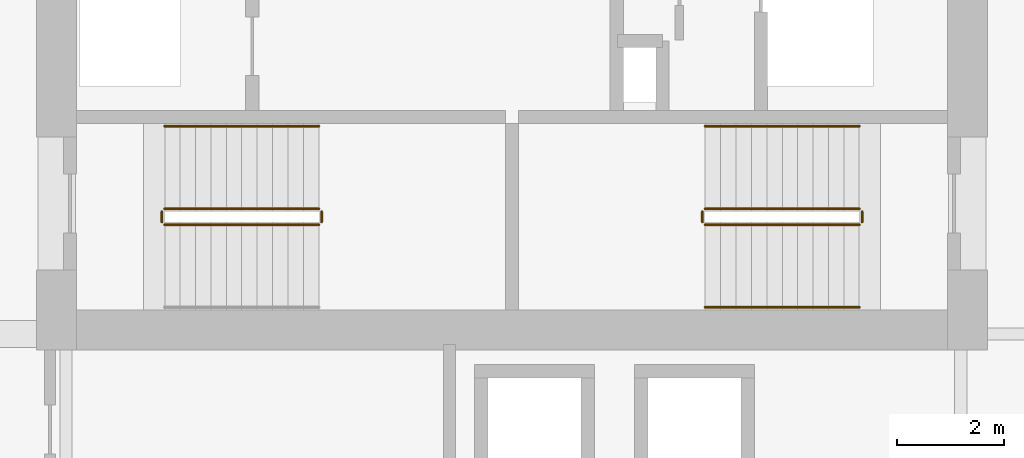
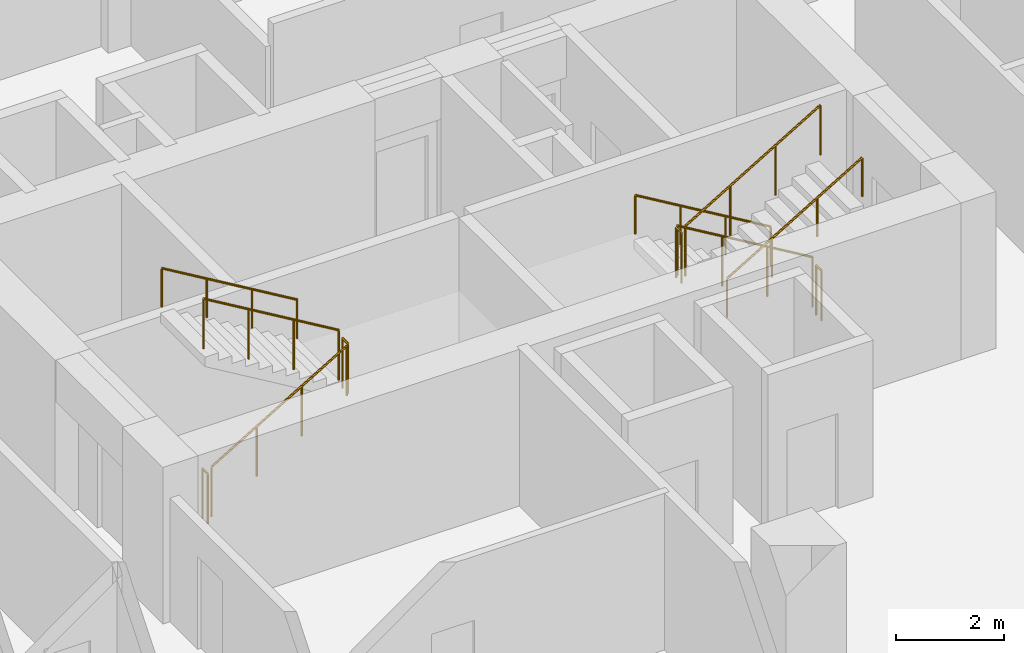
# One storey, part 16 of 18: 11 railings.
"""IFC4 building model written with IfcOpenShell, lengths in metres."""

from ifc_helpers import new_model, si_unit, direction, frame, origin, origin_2d, place, context, subcontext, project, spatial, circle, extrude, material, type_object, element, save


model = new_model("IFC4")

# Units and contexts
model_context = context("Model", 3, precision=1e-05, world=origin(), true_north=direction((0.0, 1.0)))
body_context = subcontext(model_context, "Body", "Model", "MODEL_VIEW")
ifc_project = project(units=[si_unit("LENGTHUNIT", "METRE"), si_unit("AREAUNIT", "SQUARE_METRE"), si_unit("VOLUMEUNIT", "CUBIC_METRE"), si_unit("PLANEANGLEUNIT", "RADIAN"), si_unit("MASSUNIT", "GRAM", prefix="KILO")], contexts=[model_context])

# Site, building, storey
site_placement = place(None, origin())
site = spatial("IfcSite", under=ifc_project, at=site_placement, CompositionType="ELEMENT")
building_placement = place(site_placement, origin())
building = spatial("IfcBuilding", under=site, at=building_placement, Name="Koriwani Terraces Tower", CompositionType="ELEMENT")
storey_placement = place(building_placement, frame((0.0, 0.0, 115.199951171875)))
storey = spatial("IfcBuildingStorey", under=building, at=storey_placement, Name="L27", CompositionType="ELEMENT", Elevation=115.199951171875)

# Railings
ifc_material = material(Name="Steel ASTM A572 Grade 50", Category="steel")
railing_type_1 = type_object("IfcRailingType", Name="GUARD_STAIR_WELL_1120", PredefinedType="GUARDRAIL", material=ifc_material)
railing_1_placement = place(storey_placement, frame((43.85009765625, 18.85009765625, 0.1728515625)))
element("IfcRailing", 1, at=railing_1_placement, inside=storey, type_object=railing_type_1, Name="L27 ST-E1 stair guard 1", PredefinedType="GUARDRAIL", context=body_context, shape_type="SweptSolid", body=[
    extrude(circle(Radius=0.02392578125, at=origin_2d()), frame((0.0, 0.0, 1.1259765625), z_axis=(0.859141464434, 0.0, 0.511738159696), x_axis=(0.0, 1.0, 0.0)), (0.0, 0.0, 1.0), 3.375244140625),
    extrude(circle(Radius=0.02099609375, at=origin_2d()), origin(), (0.0, 0.0, 1.0), 1.101806640625),
    extrude(circle(Radius=0.02099609375, at=origin_2d()), frame((0.966552734375, 0.0, 0.57568359375)), (0.0, 0.0, 1.0), 1.101806640625),
    extrude(circle(Radius=0.02099609375, at=origin_2d()), frame((1.933349609375, 0.0, 1.151611328125)), (0.0, 0.0, 1.0), 1.101806640625),
    extrude(circle(Radius=0.02099609375, at=origin_2d()), frame((2.89990234375, 0.0, 1.727294921875)), (0.0, 0.0, 1.0), 1.101806640625),
])
railing_2_placement = place(storey_placement, frame((46.800048828125, 18.89990234375, 1.900146484375)))
element("IfcRailing", 2, at=railing_2_placement, inside=storey, type_object=railing_type_1, Name="L27 ST-E1 stair guard 2", PredefinedType="GUARDRAIL", context=body_context, shape_type="SweptSolid", body=[
    extrude(circle(Radius=0.02392578125, at=origin_2d()), frame((0.0, 0.0, 1.1259765625), z_axis=(0.0, 1.0, 0.0), x_axis=(-1.0, 0.0, 0.0)), (0.0, 0.0, 1.0), 0.2001953125),
    extrude(circle(Radius=0.02099609375, at=origin_2d()), origin(), (0.0, 0.0, 1.0), 1.101806640625),
    extrude(circle(Radius=0.02099609375, at=origin_2d()), frame((0.0, 0.2001953125, 0.0)), (0.0, 0.0, 1.0), 1.101806640625),
])
railing_3_placement = place(storey_placement, frame((46.75, 19.14990234375, 2.07275390625)))
element("IfcRailing", 3, at=railing_3_placement, inside=storey, type_object=railing_type_1, Name="L27 ST-E1 stair guard 3", PredefinedType="GUARDRAIL", context=body_context, shape_type="SweptSolid", body=[
    extrude(circle(Radius=0.02392578125, at=origin_2d()), frame((0.0, 0.0, 1.1259765625), z_axis=(-0.859141464434, 0.0, 0.511738159696), x_axis=(0.0, -1.0, 0.0)), (0.0, 0.0, 1.0), 3.375244140625),
    extrude(circle(Radius=0.02099609375, at=origin_2d()), origin(), (0.0, 0.0, 1.0), 1.101806640625),
    extrude(circle(Radius=0.02099609375, at=origin_2d()), frame((-0.966552734375, 0.0, 0.57568359375)), (0.0, 0.0, 1.0), 1.101806640625),
    extrude(circle(Radius=0.02099609375, at=origin_2d()), frame((-1.933349609375, 0.0, 1.151611328125)), (0.0, 0.0, 1.0), 1.101806640625),
    extrude(circle(Radius=0.02099609375, at=origin_2d()), frame((-2.89990234375, 0.0, 1.727294921875)), (0.0, 0.0, 1.0), 1.101806640625),
])
railing_4_placement = place(storey_placement, frame((43.800048828125, 18.89990234375, 0.0)))
element("IfcRailing", 4, at=railing_4_placement, inside=storey, type_object=railing_type_1, Name="L27 ST-E1 stair guard 4", PredefinedType="GUARDRAIL", context=body_context, shape_type="SweptSolid", body=[
    extrude(circle(Radius=0.02392578125, at=origin_2d()), frame((0.0, 0.0, 1.1259765625), z_axis=(0.0, 1.0, 0.0), x_axis=(-1.0, 0.0, 0.0)), (0.0, 0.0, 1.0), 0.2001953125),
    extrude(circle(Radius=0.02099609375, at=origin_2d()), origin(), (0.0, 0.0, 1.0), 1.101806640625),
    extrude(circle(Radius=0.02099609375, at=origin_2d()), frame((0.0, 0.2001953125, 0.0)), (0.0, 0.0, 1.0), 1.101806640625),
])
railing_5_placement = place(storey_placement, frame((56.89990234375, 19.14990234375, 0.1728515625)))
element("IfcRailing", 5, at=railing_5_placement, inside=storey, type_object=railing_type_1, Name="L27 ST-E2 stair guard 1", PredefinedType="GUARDRAIL", context=body_context, shape_type="SweptSolid", body=[
    extrude(circle(Radius=0.02392578125, at=origin_2d()), frame((0.0, 0.0, 1.1259765625), z_axis=(-0.859141464434, 0.0, 0.511738159696), x_axis=(0.0, -1.0, 0.0)), (0.0, 0.0, 1.0), 3.375244140625),
    extrude(circle(Radius=0.02099609375, at=origin_2d()), origin(), (0.0, 0.0, 1.0), 1.101806640625),
    extrude(circle(Radius=0.02099609375, at=origin_2d()), frame((-0.966552734375, 0.0, 0.57568359375)), (0.0, 0.0, 1.0), 1.101806640625),
    extrude(circle(Radius=0.02099609375, at=origin_2d()), frame((-1.933349609375, 0.0, 1.151611328125)), (0.0, 0.0, 1.0), 1.101806640625),
    extrude(circle(Radius=0.02099609375, at=origin_2d()), frame((-2.89990234375, 0.0, 1.727294921875)), (0.0, 0.0, 1.0), 1.101806640625),
])
railing_6_placement = place(storey_placement, frame((53.949951171875, 19.10009765625, 1.900146484375)))
element("IfcRailing", 6, at=railing_6_placement, inside=storey, type_object=railing_type_1, Name="L27 ST-E2 stair guard 2", PredefinedType="GUARDRAIL", context=body_context, shape_type="SweptSolid", body=[
    extrude(circle(Radius=0.02392578125, at=origin_2d()), frame((0.0, 0.0, 1.1259765625), z_axis=(0.0, -1.0, 0.0), x_axis=(1.0, 0.0, 0.0)), (0.0, 0.0, 1.0), 0.2001953125),
    extrude(circle(Radius=0.02099609375, at=origin_2d()), origin(), (0.0, 0.0, 1.0), 1.101806640625),
    extrude(circle(Radius=0.02099609375, at=origin_2d()), frame((0.0, -0.2001953125, 0.0)), (0.0, 0.0, 1.0), 1.101806640625),
])
railing_7_placement = place(storey_placement, frame((54.0, 18.85009765625, 2.07275390625)))
element("IfcRailing", 7, at=railing_7_placement, inside=storey, type_object=railing_type_1, Name="L27 ST-E2 stair guard 3", PredefinedType="GUARDRAIL", context=body_context, shape_type="SweptSolid", body=[
    extrude(circle(Radius=0.02392578125, at=origin_2d()), frame((0.0, 0.0, 1.1259765625), z_axis=(0.859141464434, 0.0, 0.511738159696), x_axis=(0.0, 1.0, 0.0)), (0.0, 0.0, 1.0), 3.375244140625),
    extrude(circle(Radius=0.02099609375, at=origin_2d()), origin(), (0.0, 0.0, 1.0), 1.101806640625),
    extrude(circle(Radius=0.02099609375, at=origin_2d()), frame((0.966552734375, 0.0, 0.57568359375)), (0.0, 0.0, 1.0), 1.101806640625),
    extrude(circle(Radius=0.02099609375, at=origin_2d()), frame((1.933349609375, 0.0, 1.151611328125)), (0.0, 0.0, 1.0), 1.101806640625),
    extrude(circle(Radius=0.02099609375, at=origin_2d()), frame((2.89990234375, 0.0, 1.727294921875)), (0.0, 0.0, 1.0), 1.101806640625),
])
railing_8_placement = place(storey_placement, frame((56.949951171875, 19.10009765625, 0.0)))
element("IfcRailing", 8, at=railing_8_placement, inside=storey, type_object=railing_type_1, Name="L27 ST-E2 stair guard 4", PredefinedType="GUARDRAIL", context=body_context, shape_type="SweptSolid", body=[
    extrude(circle(Radius=0.02392578125, at=origin_2d()), frame((0.0, 0.0, 1.1259765625), z_axis=(0.0, -1.0, 0.0), x_axis=(1.0, 0.0, 0.0)), (0.0, 0.0, 1.0), 0.2001953125),
    extrude(circle(Radius=0.02099609375, at=origin_2d()), origin(), (0.0, 0.0, 1.0), 1.101806640625),
    extrude(circle(Radius=0.02099609375, at=origin_2d()), frame((0.0, -0.2001953125, 0.0)), (0.0, 0.0, 1.0), 1.101806640625),
])
railing_type_2 = type_object("IfcRailingType", Name="HANDRAIL_STAIR_920", PredefinedType="HANDRAIL", material=ifc_material)
for number, where, name in (
    (9, (46.75, 20.699951171875, 2.07275390625), "L27 ST-E1 stair handrail 2"),
    (10, (56.89990234375, 20.699951171875, 0.1728515625), "L27 ST-E2 stair handrail 1"),
):
    element("IfcRailing", number, at=place(storey_placement, frame(where)), inside=storey, type_object=railing_type_2, Name=name, PredefinedType="HANDRAIL", context=body_context, shape_type="SweptSolid", body=[
        extrude(circle(Radius=0.02392578125, at=origin_2d()), frame((0.0, 0.0, 0.8759765625), z_axis=(-0.859141464434, 0.0, 0.511738159696), x_axis=(0.0, -1.0, 0.0)), (0.0, 0.0, 1.0), 3.375244140625),
        extrude(circle(Radius=0.02099609375, at=origin_2d()), origin(), (0.0, 0.0, 1.0), 0.851806640625),
        extrude(circle(Radius=0.02099609375, at=origin_2d()), frame((-0.966552734375, 0.0, 0.57568359375)), (0.0, 0.0, 1.0), 0.851806640625),
        extrude(circle(Radius=0.02099609375, at=origin_2d()), frame((-1.933349609375, 0.0, 1.151611328125)), (0.0, 0.0, 1.0), 0.851806640625),
        extrude(circle(Radius=0.02099609375, at=origin_2d()), frame((-2.89990234375, 0.0, 1.727294921875)), (0.0, 0.0, 1.0), 0.851806640625),
    ])
railing_9_placement = place(storey_placement, frame((54.0, 17.300048828125, 2.07275390625)))
element("IfcRailing", 11, at=railing_9_placement, inside=storey, type_object=railing_type_2, Name="L27 ST-E2 stair handrail 2", PredefinedType="HANDRAIL", context=body_context, shape_type="SweptSolid", body=[
    extrude(circle(Radius=0.02392578125, at=origin_2d()), frame((0.0, 0.0, 0.8759765625), z_axis=(0.859141464434, 0.0, 0.511738159696), x_axis=(0.0, 1.0, 0.0)), (0.0, 0.0, 1.0), 3.375244140625),
    extrude(circle(Radius=0.02099609375, at=origin_2d()), origin(), (0.0, 0.0, 1.0), 0.851806640625),
    extrude(circle(Radius=0.02099609375, at=origin_2d()), frame((0.966552734375, 0.0, 0.57568359375)), (0.0, 0.0, 1.0), 0.851806640625),
    extrude(circle(Radius=0.02099609375, at=origin_2d()), frame((1.933349609375, 0.0, 1.151611328125)), (0.0, 0.0, 1.0), 0.851806640625),
    extrude(circle(Radius=0.02099609375, at=origin_2d()), frame((2.89990234375, 0.0, 1.727294921875)), (0.0, 0.0, 1.0), 0.851806640625),
])

save(model, "model.ifc")
